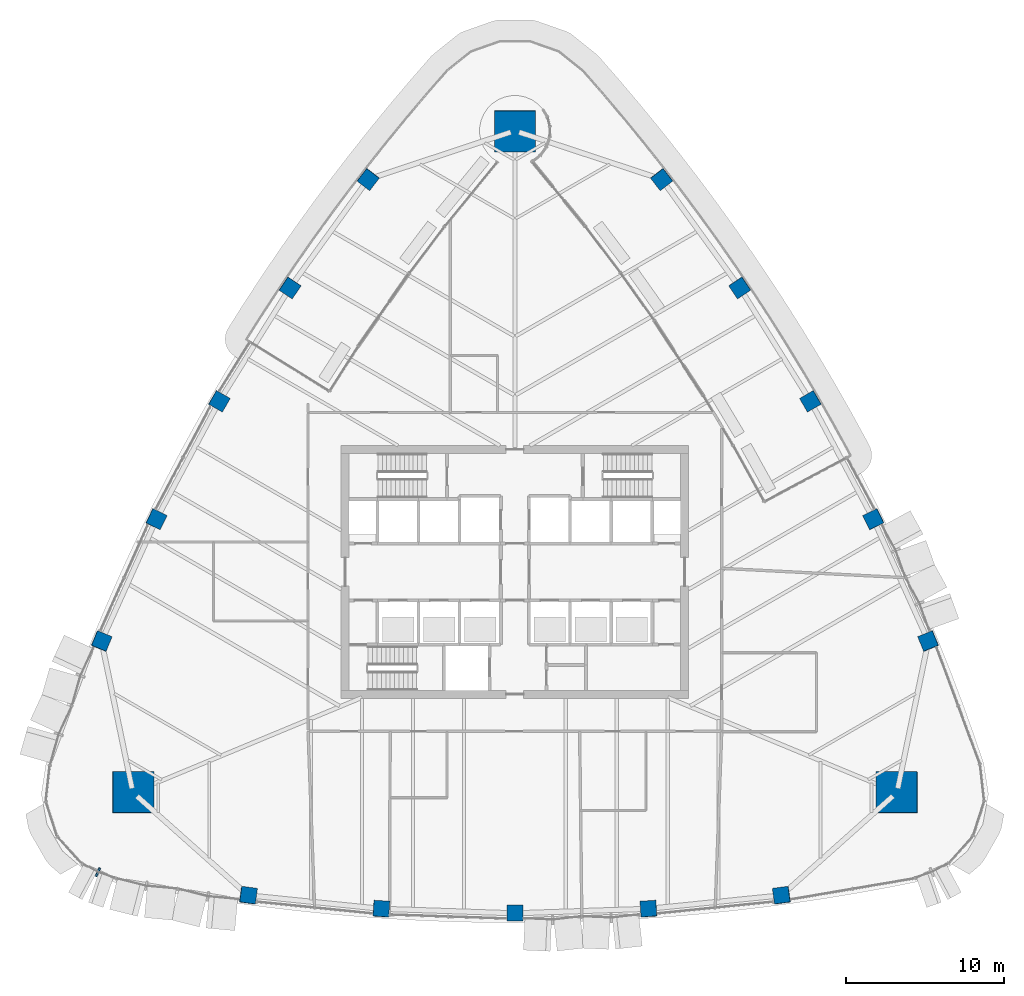
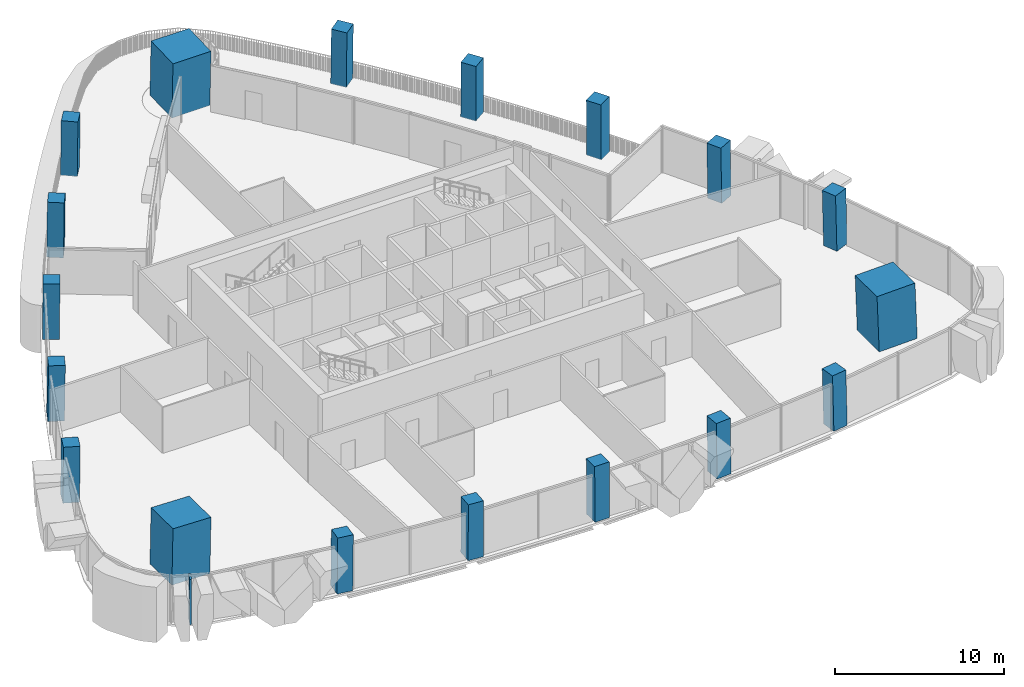
# One storey, part 1 of 21: 18 columns, 1 member, 1 element without a shape of its own.
"""IFC4 building model written with IfcOpenShell, lengths in metres."""

from ifc_helpers import new_model, si_unit, direction, frame, origin, origin_2d, place, context, subcontext, project, spatial, rectangle, extrude, material, layer, layer_set, material_profile, profile_set, type_object, element, aggregate, save


model = new_model("IFC4")

# Units and contexts
model_context = context("Model", 3, precision=1e-05, world=origin(), true_north=direction((0.0, 1.0)))
body_context = subcontext(model_context, "Body", "Model", "MODEL_VIEW")
ifc_project = project(units=[si_unit("LENGTHUNIT", "METRE"), si_unit("AREAUNIT", "SQUARE_METRE"), si_unit("VOLUMEUNIT", "CUBIC_METRE"), si_unit("PLANEANGLEUNIT", "RADIAN"), si_unit("MASSUNIT", "GRAM", prefix="KILO")], contexts=[model_context])

# Site, building, storey
site_placement = place(None, origin())
site = spatial("IfcSite", under=ifc_project, at=site_placement, CompositionType="ELEMENT")
building_placement = place(site_placement, origin())
building = spatial("IfcBuilding", under=site, at=building_placement, Name="Sierra Prisma Convention Tower", CompositionType="ELEMENT")
storey_placement = place(building_placement, frame((0.0, 0.0, 157.800048828125)))
storey = spatial("IfcBuildingStorey", under=building, at=storey_placement, Name="L34", CompositionType="ELEMENT", Elevation=157.800048828125)

# Columns
ifc_material_1 = material(Name="Concrete C60/75", Category="concrete")
ifc_material_profile_1 = material_profile(ifc_material_1, rectangle(XDim=2.60009765625, YDim=2.60009765625, at=origin_2d()), Name="Mega column RC 2600 C60/75")
ifc_profile_set_1 = profile_set([ifc_material_profile_1], Name="Concrete C60/75")
column_type_1 = type_object("IfcColumnType", Name="Mega column RC 2600 C60/75", PredefinedType="COLUMN", material=ifc_profile_set_1)
for number, where, z_axis, x_axis, name in (
    (1, (24.196044921875, -13.969482421875, 0.0), (-0.028061445165, 0.016165832541, 0.999475473012), (0.999606200108, 0.000453815336, 0.028057775329), "Mega column SE L34"),
    (2, (0.0, 27.939208984375, 0.0), (0.0, -0.032392660026, 0.999475220091), (1.0, 0.0, 0.0), "Mega column N L34"),
    (3, (-24.196044921875, -13.969482421875, 0.0), (0.028061445165, 0.016165832541, 0.999475473012), (0.999606200108, -0.000453815336, -0.028057775329), "Mega column SW L34"),
):
    element("IfcColumn", number, at=place(storey_placement, frame(where, z_axis=z_axis, x_axis=x_axis)), inside=storey, type_object=column_type_1, Name=name, PredefinedType="COLUMN", context=body_context, shape_type="SweptSolid", body=[
        extrude(rectangle(XDim=2.60009765625, YDim=2.60009765625, at=origin_2d()), origin(), (0.0, 0.0, 1.0), 4.002197265625),
    ])
ifc_material_2 = material(Name="Concrete C60/75", Category="concrete")
ifc_material_profile_2 = material_profile(ifc_material_2, rectangle(XDim=1.0, YDim=1.0, at=origin_2d()), Name="Perimeter column RC 1000 C60/75")
ifc_profile_set_2 = profile_set([ifc_material_profile_2], Name="Concrete C60/75")
column_type_2 = type_object("IfcColumnType", Name="Perimeter column RC 1000 C60/75", PredefinedType="COLUMN", material=ifc_profile_set_2)
column_1_placement = place(storey_placement, frame((-16.889404296875, -20.48193359375, 0.0), z_axis=(0.017635445209, 0.010495835903, 0.999789392073), x_axis=(-0.990805220728, 0.134338663176, 0.016066678389)))
element("IfcColumn", 4, at=column_1_placement, inside=storey, type_object=column_type_2, Name="Perimeter column S-1 L34", PredefinedType="COLUMN", context=body_context, shape_type="SweptSolid", body=[
    extrude(rectangle(XDim=1.0, YDim=1.0, at=origin_2d()), origin(), (0.0, 0.0, 1.0), 4.000732421875),
])
column_2_placement = place(storey_placement, frame((-8.4638671875, -21.335205078125, 0.0), z_axis=(0.008849193104, 0.011229320904, 0.999897791843), x_axis=(-0.997698206582, 0.067328341757, 0.008073597722)))
element("IfcColumn", 5, at=column_2_placement, inside=storey, type_object=column_type_2, Name="Perimeter column S-2 L34", PredefinedType="COLUMN", context=body_context, shape_type="SweptSolid", body=[
    extrude(rectangle(XDim=1.0, YDim=1.0, at=origin_2d()), origin(), (0.0, 0.0, 1.0), 4.00048828125),
])
column_3_placement = place(storey_placement, frame((0.0, -21.6201171875, 0.0), z_axis=(0.0, 0.011473854038, 0.99993417317), x_axis=(1.0, 0.0, 0.0)))
element("IfcColumn", 6, at=column_3_placement, inside=storey, type_object=column_type_2, Name="Perimeter column S-3 L34", PredefinedType="COLUMN", context=body_context, shape_type="SweptSolid", body=[
    extrude(rectangle(XDim=1.0, YDim=1.0, at=origin_2d()), origin(), (0.0, 0.0, 1.0), 4.000244140625),
])
column_4_placement = place(storey_placement, frame((8.4638671875, -21.335205078125, 0.0), z_axis=(-0.008849193104, 0.011229320904, 0.999897791843), x_axis=(0.997698206582, 0.067328341757, 0.008073597722)))
element("IfcColumn", 7, at=column_4_placement, inside=storey, type_object=column_type_2, Name="Perimeter column S-4 L34", PredefinedType="COLUMN", context=body_context, shape_type="SweptSolid", body=[
    extrude(rectangle(XDim=1.0, YDim=1.0, at=origin_2d()), origin(), (0.0, 0.0, 1.0), 4.00048828125),
])
for number, where, z_axis, x_axis, name in (
    (8, (16.889404296875, -20.48193359375, 0.0), (-0.017635445209, 0.010495835903, 0.999789392073), (0.990805220728, 0.134338663176, 0.016066678389), "Perimeter column S-5 L34"),
    (9, (26.1826171875, -4.3857421875, 0.0), (-0.017879535448, 0.010068680372, 0.999789449778), (-0.379230813996, 0.925162045929, -0.016099021367), "Perimeter column NE-1 L34"),
):
    element("IfcColumn", number, at=place(storey_placement, frame(where, z_axis=z_axis, x_axis=x_axis)), inside=storey, type_object=column_type_2, Name=name, PredefinedType="COLUMN", context=body_context, shape_type="SweptSolid", body=[
        extrude(rectangle(XDim=1.0, YDim=1.0, at=origin_2d()), origin(), (0.0, 0.0, 1.0), 4.000732421875),
    ])
column_5_placement = place(storey_placement, frame((22.708740234375, 3.337646484375, 0.0), z_axis=(-0.014097689605, 0.002074984617, 0.999898469639), x_axis=(-0.440598986635, 0.897667716395, -0.008074894304)))
element("IfcColumn", 10, at=column_5_placement, inside=storey, type_object=column_type_2, Name="Perimeter column NE-2 L34", PredefinedType="COLUMN", context=body_context, shape_type="SweptSolid", body=[
    extrude(rectangle(XDim=1.0, YDim=1.0, at=origin_2d()), origin(), (0.0, 0.0, 1.0), 4.00048828125),
])
column_6_placement = place(storey_placement, frame((18.723388671875, 10.81005859375, 0.0), z_axis=(-0.009887049298, -0.00573692984, 0.999934664812), x_axis=(-0.499975560967, 0.866039512843, 2.5126546e-05)))
element("IfcColumn", 11, at=column_6_placement, inside=storey, type_object=column_type_2, Name="Perimeter column NE-3 L34", PredefinedType="COLUMN", context=body_context, shape_type="SweptSolid", body=[
    extrude(rectangle(XDim=1.0, YDim=1.0, at=origin_2d()), origin(), (0.0, 0.0, 1.0), 4.000244140625),
])
column_7_placement = place(storey_placement, frame((14.244873046875, 17.99755859375, 0.0), z_axis=(-0.005248490815, -0.013243284963, 0.999898529226), x_axis=(-0.55708682321, 0.83041500218, 0.00807437675)))
element("IfcColumn", 12, at=column_7_placement, inside=storey, type_object=column_type_2, Name="Perimeter column NE-4 L34", PredefinedType="COLUMN", context=body_context, shape_type="SweptSolid", body=[
    extrude(rectangle(XDim=1.0, YDim=1.0, at=origin_2d()), origin(), (0.0, 0.0, 1.0), 4.00048828125),
])
for number, where, z_axis, x_axis, name in (
    (13, (9.293212890625, 24.86767578125, 0.0), (-0.000244089295, -0.02050350076, 0.999789751336), (-0.611667868722, 0.790951408163, 0.016071350199), "Perimeter column NE-5 L34"),
    (14, (-9.293212890625, 24.86767578125, 0.0), (0.000244089295, -0.02050350076, 0.999789751336), (0.611667868722, 0.790951408163, 0.016071350199), "Perimeter column NW-1 L34"),
):
    element("IfcColumn", number, at=place(storey_placement, frame(where, z_axis=z_axis, x_axis=x_axis)), inside=storey, type_object=column_type_2, Name=name, PredefinedType="COLUMN", context=body_context, shape_type="SweptSolid", body=[
        extrude(rectangle(XDim=1.0, YDim=1.0, at=origin_2d()), origin(), (0.0, 0.0, 1.0), 4.000732421875),
    ])
column_8_placement = place(storey_placement, frame((-14.244873046875, 17.99755859375, 0.0), z_axis=(0.005248490815, -0.013243284963, 0.999898529226), x_axis=(0.55708682321, 0.83041500218, 0.00807437675)))
element("IfcColumn", 15, at=column_8_placement, inside=storey, type_object=column_type_2, Name="Perimeter column NW-2 L34", PredefinedType="COLUMN", context=body_context, shape_type="SweptSolid", body=[
    extrude(rectangle(XDim=1.0, YDim=1.0, at=origin_2d()), origin(), (0.0, 0.0, 1.0), 4.00048828125),
])
column_9_placement = place(storey_placement, frame((-18.723388671875, 10.81005859375, 0.0), z_axis=(0.009887049298, -0.00573692984, 0.999934664812), x_axis=(0.499975560967, 0.866039512843, 2.5126546e-05)))
element("IfcColumn", 16, at=column_9_placement, inside=storey, type_object=column_type_2, Name="Perimeter column NW-3 L34", PredefinedType="COLUMN", context=body_context, shape_type="SweptSolid", body=[
    extrude(rectangle(XDim=1.0, YDim=1.0, at=origin_2d()), origin(), (0.0, 0.0, 1.0), 4.000244140625),
])
column_10_placement = place(storey_placement, frame((-22.708740234375, 3.337646484375, 0.0), z_axis=(0.014097689605, 0.002074984617, 0.999898469639), x_axis=(0.440598986635, 0.897667716395, -0.008074894304)))
element("IfcColumn", 17, at=column_10_placement, inside=storey, type_object=column_type_2, Name="Perimeter column NW-4 L34", PredefinedType="COLUMN", context=body_context, shape_type="SweptSolid", body=[
    extrude(rectangle(XDim=1.0, YDim=1.0, at=origin_2d()), origin(), (0.0, 0.0, 1.0), 4.00048828125),
])
column_11_placement = place(storey_placement, frame((-26.1826171875, -4.3857421875, 0.0), z_axis=(0.017879535448, 0.010068680372, 0.999789449778), x_axis=(0.379230813996, 0.925162045929, -0.016099021367)))
element("IfcColumn", 18, at=column_11_placement, inside=storey, type_object=column_type_2, Name="Perimeter column NW-5 L34", PredefinedType="COLUMN", context=body_context, shape_type="SweptSolid", body=[
    extrude(rectangle(XDim=1.0, YDim=1.0, at=origin_2d()), origin(), (0.0, 0.0, 1.0), 4.000732421875),
])

# Curtain wall, member
ifc_material_3 = material(Name="Aluminium and glass curtain wall", Category="aluminium")
ifc_layer = layer(ifc_material_3, 0.179931640625)
ifc_layer_set = layer_set([ifc_layer], Name="CW-2 Faceted crystal curtain wall")
curtain_wall_type = type_object("IfcCurtainWallType", Name="CW-2 Faceted crystal curtain wall", PredefinedType="NOTDEFINED", material=ifc_layer_set)
curtain_wall_placement = place(storey_placement, origin())
curtain_wall = element("IfcCurtainWall", 19, at=curtain_wall_placement, inside=storey, type_object=curtain_wall_type, Name="CW-2 SW4 L34", PredefinedType="NOTDEFINED")
ifc_material_4 = material(Name="Aluminium 6063-T6 bronze anodised", Category="aluminium")
ifc_material_profile_3 = material_profile(ifc_material_4, rectangle(XDim=0.1201171875, YDim=0.60009765625, at=origin_2d()), Name="ALU RIDGE BLADE 120x600")
ifc_profile_set_3 = profile_set([ifc_material_profile_3], Name="Aluminium 6063-T6 bronze anodised")
member_type = type_object("IfcMemberType", Name="CW hip bronze", PredefinedType="MULLION", material=ifc_profile_set_3)
member_placement = place(storey_placement, frame((-26.40966796875, -19.018310546875, 0.0), z_axis=(0.0, 0.0, 1.0), x_axis=(0.915845024487, -0.40153193039, 0.0)))
member = element("IfcMember", 20, at=member_placement, type_object=member_type, Name="CW-2 ridge SW4.1", PredefinedType="MULLION", context=body_context, shape_type="SweptSolid", body=[
    extrude(rectangle(XDim=0.1201171875, YDim=0.60009765625, at=origin_2d()), origin(), (0.0, 0.0, 1.0), 3.280029296875),
])
aggregate(curtain_wall, [member])

save(model, "model.ifc")
